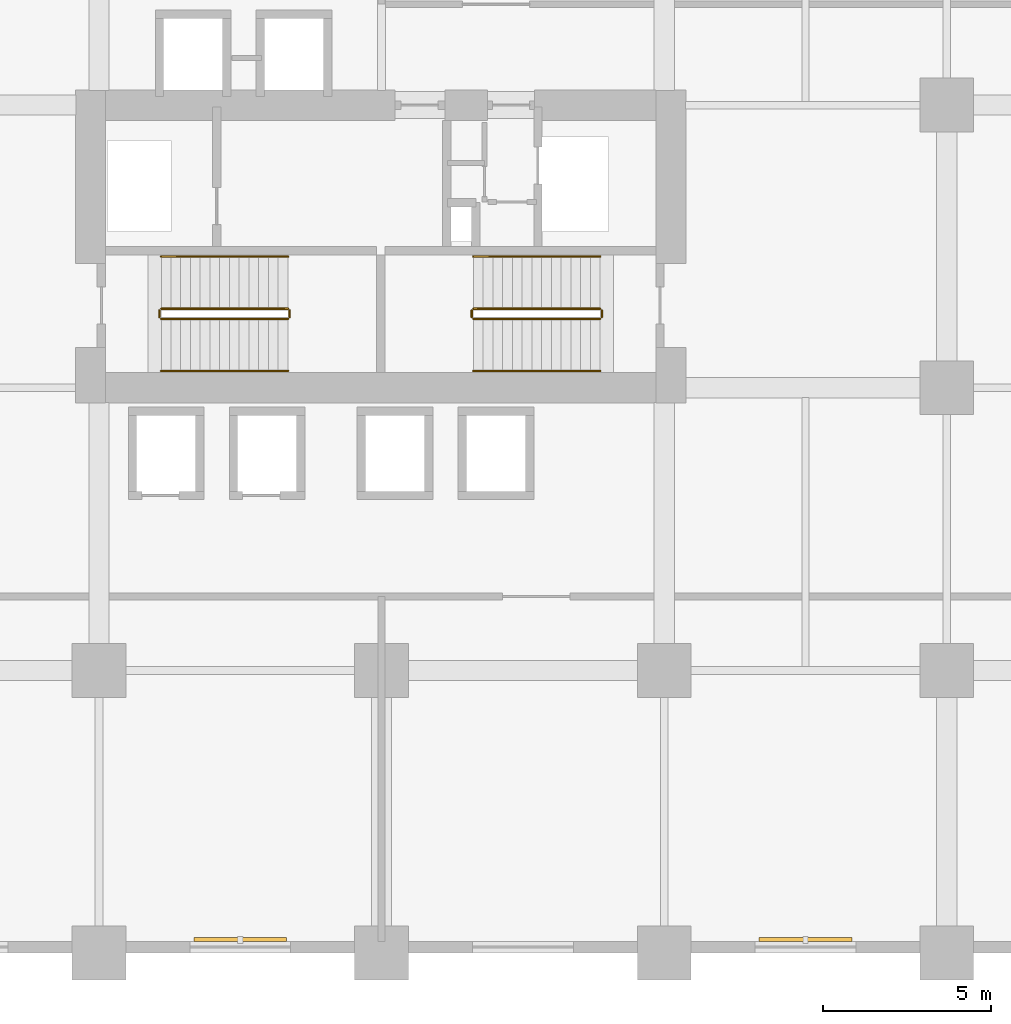
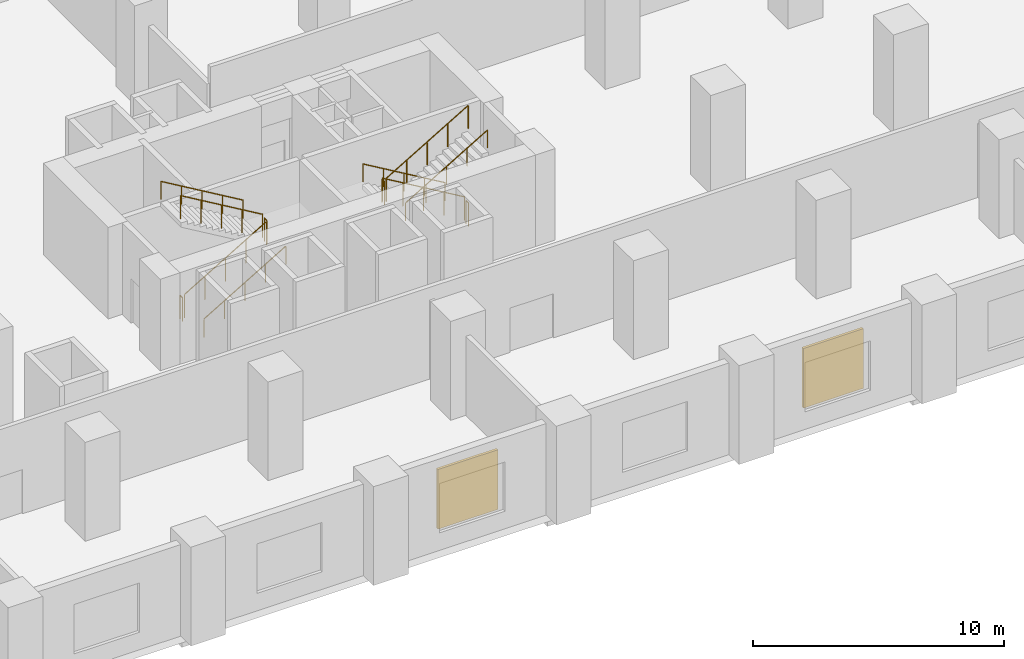
# One storey, part 20 of 22: 12 railings, 2 shading devices.
"""IFC4 building model written with IfcOpenShell, lengths in metres."""

from ifc_helpers import new_model, si_unit, direction, frame, origin, origin_2d, place, context, subcontext, project, spatial, rectangle, circle, extrude, material, layer, layer_set, type_object, element, save


model = new_model("IFC4")

# Units and contexts
model_context = context("Model", 3, precision=1e-05, world=origin(), true_north=direction((0.0, 1.0)))
body_context = subcontext(model_context, "Body", "Model", "MODEL_VIEW")
ifc_project = project(units=[si_unit("LENGTHUNIT", "METRE"), si_unit("AREAUNIT", "SQUARE_METRE"), si_unit("VOLUMEUNIT", "CUBIC_METRE"), si_unit("PLANEANGLEUNIT", "RADIAN"), si_unit("MASSUNIT", "GRAM", prefix="KILO")], contexts=[model_context])

# Site, building, storey
site_placement = place(None, origin())
site = spatial("IfcSite", under=ifc_project, at=site_placement, CompositionType="ELEMENT")
building_placement = place(site_placement, origin())
building = spatial("IfcBuilding", under=site, at=building_placement, Name="Koriwani Terraces Tower", CompositionType="ELEMENT")
storey_placement = place(building_placement, frame((0.0, 0.0, 10.800048828125)))
storey = spatial("IfcBuildingStorey", under=building, at=storey_placement, Name="L02", CompositionType="ELEMENT", Elevation=10.800048828125)

# Railings
ifc_material_1 = material(Name="Steel ASTM A572 Grade 50", Category="steel")
railing_type_1 = type_object("IfcRailingType", Name="GUARD_STAIR_WELL_1120", PredefinedType="GUARDRAIL", material=ifc_material_1)
railing_1_placement = place(storey_placement, frame((43.85009765625, 18.85009765625, 0.17138671875)))
element("IfcRailing", 1, at=railing_1_placement, inside=storey, type_object=railing_type_1, Name="L02 ST-E1 stair guard 1", PredefinedType="GUARDRAIL", context=body_context, shape_type="SweptSolid", body=[
    extrude(circle(Radius=0.02392578125, at=origin_2d()), frame((0.0, 0.0, 1.1259765625), z_axis=(0.860848830602, 0.0, 0.508860777473), x_axis=(0.0, 1.0, 0.0)), (0.0, 0.0, 1.0), 4.37939453125),
    extrude(circle(Radius=0.02099609375, at=origin_2d()), origin(), (0.0, 0.0, 1.0), 1.101806640625),
    extrude(circle(Radius=0.02099609375, at=origin_2d()), frame((0.9423828125, 0.0, 0.55712890625)), (0.0, 0.0, 1.0), 1.101806640625),
    extrude(circle(Radius=0.02099609375, at=origin_2d()), frame((1.885009765625, 0.0, 1.1142578125)), (0.0, 0.0, 1.0), 1.101806640625),
    extrude(circle(Radius=0.02099609375, at=origin_2d()), frame((2.82763671875, 0.0, 1.67138671875)), (0.0, 0.0, 1.0), 1.101806640625),
    extrude(circle(Radius=0.02099609375, at=origin_2d()), frame((3.77001953125, 0.0, 2.228515625)), (0.0, 0.0, 1.0), 1.101806640625),
])
railing_2_placement = place(storey_placement, frame((47.669921875, 18.89990234375, 2.39990234375)))
element("IfcRailing", 2, at=railing_2_placement, inside=storey, type_object=railing_type_1, Name="L02 ST-E1 stair guard 2", PredefinedType="GUARDRAIL", context=body_context, shape_type="SweptSolid", body=[
    extrude(circle(Radius=0.02392578125, at=origin_2d()), frame((0.0, 0.0, 1.1259765625), z_axis=(0.0, 1.0, 0.0), x_axis=(-1.0, 0.0, 0.0)), (0.0, 0.0, 1.0), 0.2001953125),
    extrude(circle(Radius=0.02099609375, at=origin_2d()), origin(), (0.0, 0.0, 1.0), 1.101806640625),
    extrude(circle(Radius=0.02099609375, at=origin_2d()), frame((0.0, 0.2001953125, 0.0)), (0.0, 0.0, 1.0), 1.101806640625),
])
railing_3_placement = place(storey_placement, frame((47.6201171875, 19.14990234375, 2.5712890625)))
element("IfcRailing", 3, at=railing_3_placement, inside=storey, type_object=railing_type_1, Name="L02 ST-E1 stair guard 3", PredefinedType="GUARDRAIL", context=body_context, shape_type="SweptSolid", body=[
    extrude(circle(Radius=0.02392578125, at=origin_2d()), frame((0.0, 0.0, 1.1259765625), z_axis=(-0.860824410104, 0.0, 0.508902087802), x_axis=(0.0, -1.0, 0.0)), (0.0, 0.0, 1.0), 4.379638671875),
    extrude(circle(Radius=0.02099609375, at=origin_2d()), origin(), (0.0, 0.0, 1.0), 1.101806640625),
    extrude(circle(Radius=0.02099609375, at=origin_2d()), frame((-0.9423828125, 0.0, 0.55712890625)), (0.0, 0.0, 1.0), 1.101806640625),
    extrude(circle(Radius=0.02099609375, at=origin_2d()), frame((-1.885009765625, 0.0, 1.1142578125)), (0.0, 0.0, 1.0), 1.101806640625),
    extrude(circle(Radius=0.02099609375, at=origin_2d()), frame((-2.82763671875, 0.0, 1.671630859375)), (0.0, 0.0, 1.0), 1.101806640625),
    extrude(circle(Radius=0.02099609375, at=origin_2d()), frame((-3.77001953125, 0.0, 2.228759765625)), (0.0, 0.0, 1.0), 1.101806640625),
])
railing_4_placement = place(storey_placement, frame((43.800048828125, 18.89990234375, 0.0)))
element("IfcRailing", 4, at=railing_4_placement, inside=storey, type_object=railing_type_1, Name="L02 ST-E1 stair guard 4", PredefinedType="GUARDRAIL", context=body_context, shape_type="SweptSolid", body=[
    extrude(circle(Radius=0.02392578125, at=origin_2d()), frame((0.0, 0.0, 1.1259765625), z_axis=(0.0, 1.0, 0.0), x_axis=(-1.0, 0.0, 0.0)), (0.0, 0.0, 1.0), 0.2001953125),
    extrude(circle(Radius=0.02099609375, at=origin_2d()), origin(), (0.0, 0.0, 1.0), 1.101806640625),
    extrude(circle(Radius=0.02099609375, at=origin_2d()), frame((0.0, 0.2001953125, 0.0)), (0.0, 0.0, 1.0), 1.101806640625),
])
railing_5_placement = place(storey_placement, frame((56.89990234375, 19.14990234375, 0.17138671875)))
element("IfcRailing", 5, at=railing_5_placement, inside=storey, type_object=railing_type_1, Name="L02 ST-E2 stair guard 1", PredefinedType="GUARDRAIL", context=body_context, shape_type="SweptSolid", body=[
    extrude(circle(Radius=0.02392578125, at=origin_2d()), frame((0.0, 0.0, 1.1259765625), z_axis=(-0.860848830602, 0.0, 0.508860777473), x_axis=(0.0, -1.0, 0.0)), (0.0, 0.0, 1.0), 4.37939453125),
    extrude(circle(Radius=0.02099609375, at=origin_2d()), origin(), (0.0, 0.0, 1.0), 1.101806640625),
    extrude(circle(Radius=0.02099609375, at=origin_2d()), frame((-0.9423828125, 0.0, 0.55712890625)), (0.0, 0.0, 1.0), 1.101806640625),
    extrude(circle(Radius=0.02099609375, at=origin_2d()), frame((-1.885009765625, 0.0, 1.1142578125)), (0.0, 0.0, 1.0), 1.101806640625),
    extrude(circle(Radius=0.02099609375, at=origin_2d()), frame((-2.82763671875, 0.0, 1.67138671875)), (0.0, 0.0, 1.0), 1.101806640625),
    extrude(circle(Radius=0.02099609375, at=origin_2d()), frame((-3.77001953125, 0.0, 2.228515625)), (0.0, 0.0, 1.0), 1.101806640625),
])
railing_6_placement = place(storey_placement, frame((53.080078125, 19.10009765625, 2.39990234375)))
element("IfcRailing", 6, at=railing_6_placement, inside=storey, type_object=railing_type_1, Name="L02 ST-E2 stair guard 2", PredefinedType="GUARDRAIL", context=body_context, shape_type="SweptSolid", body=[
    extrude(circle(Radius=0.02392578125, at=origin_2d()), frame((0.0, 0.0, 1.1259765625), z_axis=(0.0, -1.0, 0.0), x_axis=(1.0, 0.0, 0.0)), (0.0, 0.0, 1.0), 0.2001953125),
    extrude(circle(Radius=0.02099609375, at=origin_2d()), origin(), (0.0, 0.0, 1.0), 1.101806640625),
    extrude(circle(Radius=0.02099609375, at=origin_2d()), frame((0.0, -0.2001953125, 0.0)), (0.0, 0.0, 1.0), 1.101806640625),
])
railing_7_placement = place(storey_placement, frame((53.1298828125, 18.85009765625, 2.5712890625)))
element("IfcRailing", 7, at=railing_7_placement, inside=storey, type_object=railing_type_1, Name="L02 ST-E2 stair guard 3", PredefinedType="GUARDRAIL", context=body_context, shape_type="SweptSolid", body=[
    extrude(circle(Radius=0.02392578125, at=origin_2d()), frame((0.0, 0.0, 1.1259765625), z_axis=(0.860824410104, 0.0, 0.508902087802), x_axis=(0.0, 1.0, 0.0)), (0.0, 0.0, 1.0), 4.379638671875),
    extrude(circle(Radius=0.02099609375, at=origin_2d()), origin(), (0.0, 0.0, 1.0), 1.101806640625),
    extrude(circle(Radius=0.02099609375, at=origin_2d()), frame((0.9423828125, 0.0, 0.55712890625)), (0.0, 0.0, 1.0), 1.101806640625),
    extrude(circle(Radius=0.02099609375, at=origin_2d()), frame((1.885009765625, 0.0, 1.1142578125)), (0.0, 0.0, 1.0), 1.101806640625),
    extrude(circle(Radius=0.02099609375, at=origin_2d()), frame((2.82763671875, 0.0, 1.671630859375)), (0.0, 0.0, 1.0), 1.101806640625),
    extrude(circle(Radius=0.02099609375, at=origin_2d()), frame((3.77001953125, 0.0, 2.228759765625)), (0.0, 0.0, 1.0), 1.101806640625),
])
railing_8_placement = place(storey_placement, frame((56.949951171875, 19.10009765625, 0.0)))
element("IfcRailing", 8, at=railing_8_placement, inside=storey, type_object=railing_type_1, Name="L02 ST-E2 stair guard 4", PredefinedType="GUARDRAIL", context=body_context, shape_type="SweptSolid", body=[
    extrude(circle(Radius=0.02392578125, at=origin_2d()), frame((0.0, 0.0, 1.1259765625), z_axis=(0.0, -1.0, 0.0), x_axis=(1.0, 0.0, 0.0)), (0.0, 0.0, 1.0), 0.2001953125),
    extrude(circle(Radius=0.02099609375, at=origin_2d()), origin(), (0.0, 0.0, 1.0), 1.101806640625),
    extrude(circle(Radius=0.02099609375, at=origin_2d()), frame((0.0, -0.2001953125, 0.0)), (0.0, 0.0, 1.0), 1.101806640625),
])
railing_type_2 = type_object("IfcRailingType", Name="HANDRAIL_STAIR_920", PredefinedType="HANDRAIL", material=ifc_material_1)
railing_9_placement = place(storey_placement, frame((43.85009765625, 17.300048828125, 0.17138671875)))
element("IfcRailing", 9, at=railing_9_placement, inside=storey, type_object=railing_type_2, Name="L02 ST-E1 stair handrail 1", PredefinedType="HANDRAIL", context=body_context, shape_type="SweptSolid", body=[
    extrude(circle(Radius=0.02392578125, at=origin_2d()), frame((0.0, 0.0, 0.8759765625), z_axis=(0.860848830602, 0.0, 0.508860777473), x_axis=(0.0, 1.0, 0.0)), (0.0, 0.0, 1.0), 4.37939453125),
    extrude(circle(Radius=0.02099609375, at=origin_2d()), origin(), (0.0, 0.0, 1.0), 0.851806640625),
    extrude(circle(Radius=0.02099609375, at=origin_2d()), frame((0.9423828125, 0.0, 0.55712890625)), (0.0, 0.0, 1.0), 0.851806640625),
    extrude(circle(Radius=0.02099609375, at=origin_2d()), frame((1.885009765625, 0.0, 1.1142578125)), (0.0, 0.0, 1.0), 0.851806640625),
    extrude(circle(Radius=0.02099609375, at=origin_2d()), frame((2.82763671875, 0.0, 1.67138671875)), (0.0, 0.0, 1.0), 0.851806640625),
    extrude(circle(Radius=0.02099609375, at=origin_2d()), frame((3.77001953125, 0.0, 2.228515625)), (0.0, 0.0, 1.0), 0.851806640625),
])
railing_10_placement = place(storey_placement, frame((47.6201171875, 20.699951171875, 2.5712890625)))
element("IfcRailing", 10, at=railing_10_placement, inside=storey, type_object=railing_type_2, Name="L02 ST-E1 stair handrail 2", PredefinedType="HANDRAIL", context=body_context, shape_type="SweptSolid", body=[
    extrude(circle(Radius=0.02392578125, at=origin_2d()), frame((0.0, 0.0, 0.8759765625), z_axis=(-0.860824410104, 0.0, 0.508902087802), x_axis=(0.0, -1.0, 0.0)), (0.0, 0.0, 1.0), 4.379638671875),
    extrude(circle(Radius=0.02099609375, at=origin_2d()), origin(), (0.0, 0.0, 1.0), 0.851806640625),
    extrude(circle(Radius=0.02099609375, at=origin_2d()), frame((-0.9423828125, 0.0, 0.55712890625)), (0.0, 0.0, 1.0), 0.851806640625),
    extrude(circle(Radius=0.02099609375, at=origin_2d()), frame((-1.885009765625, 0.0, 1.1142578125)), (0.0, 0.0, 1.0), 0.851806640625),
    extrude(circle(Radius=0.02099609375, at=origin_2d()), frame((-2.82763671875, 0.0, 1.671630859375)), (0.0, 0.0, 1.0), 0.851806640625),
    extrude(circle(Radius=0.02099609375, at=origin_2d()), frame((-3.77001953125, 0.0, 2.228759765625)), (0.0, 0.0, 1.0), 0.851806640625),
])
railing_11_placement = place(storey_placement, frame((56.89990234375, 20.699951171875, 0.17138671875)))
element("IfcRailing", 11, at=railing_11_placement, inside=storey, type_object=railing_type_2, Name="L02 ST-E2 stair handrail 1", PredefinedType="HANDRAIL", context=body_context, shape_type="SweptSolid", body=[
    extrude(circle(Radius=0.02392578125, at=origin_2d()), frame((0.0, 0.0, 0.8759765625), z_axis=(-0.860848830602, 0.0, 0.508860777473), x_axis=(0.0, -1.0, 0.0)), (0.0, 0.0, 1.0), 4.37939453125),
    extrude(circle(Radius=0.02099609375, at=origin_2d()), origin(), (0.0, 0.0, 1.0), 0.851806640625),
    extrude(circle(Radius=0.02099609375, at=origin_2d()), frame((-0.9423828125, 0.0, 0.55712890625)), (0.0, 0.0, 1.0), 0.851806640625),
    extrude(circle(Radius=0.02099609375, at=origin_2d()), frame((-1.885009765625, 0.0, 1.1142578125)), (0.0, 0.0, 1.0), 0.851806640625),
    extrude(circle(Radius=0.02099609375, at=origin_2d()), frame((-2.82763671875, 0.0, 1.67138671875)), (0.0, 0.0, 1.0), 0.851806640625),
    extrude(circle(Radius=0.02099609375, at=origin_2d()), frame((-3.77001953125, 0.0, 2.228515625)), (0.0, 0.0, 1.0), 0.851806640625),
])
railing_12_placement = place(storey_placement, frame((53.1298828125, 17.300048828125, 2.5712890625)))
element("IfcRailing", 12, at=railing_12_placement, inside=storey, type_object=railing_type_2, Name="L02 ST-E2 stair handrail 2", PredefinedType="HANDRAIL", context=body_context, shape_type="SweptSolid", body=[
    extrude(circle(Radius=0.02392578125, at=origin_2d()), frame((0.0, 0.0, 0.8759765625), z_axis=(0.860824410104, 0.0, 0.508902087802), x_axis=(0.0, 1.0, 0.0)), (0.0, 0.0, 1.0), 4.379638671875),
    extrude(circle(Radius=0.02099609375, at=origin_2d()), origin(), (0.0, 0.0, 1.0), 0.851806640625),
    extrude(circle(Radius=0.02099609375, at=origin_2d()), frame((0.9423828125, 0.0, 0.55712890625)), (0.0, 0.0, 1.0), 0.851806640625),
    extrude(circle(Radius=0.02099609375, at=origin_2d()), frame((1.885009765625, 0.0, 1.1142578125)), (0.0, 0.0, 1.0), 0.851806640625),
    extrude(circle(Radius=0.02099609375, at=origin_2d()), frame((2.82763671875, 0.0, 1.671630859375)), (0.0, 0.0, 1.0), 0.851806640625),
    extrude(circle(Radius=0.02099609375, at=origin_2d()), frame((3.77001953125, 0.0, 2.228759765625)), (0.0, 0.0, 1.0), 0.851806640625),
])

# Shading devices
ifc_material_2 = material(Name="Extruded Terracotta Clay", Category="masonry")
ifc_layer = layer(ifc_material_2, 0.1201171875, Name="Extruded Terracotta Clay")
ifc_layer_set = layer_set([ifc_layer], Name="Extruded Terracotta Clay")
shading_device_type = type_object("IfcShadingDeviceType", Name="TERRACOTTA_BAGUETTE_SCREEN_2800", PredefinedType="USERDEFINED", material=ifc_layer_set)
for number, where, z_axis, x_axis, name in (
    (13, (46.199951171875, 0.405029296875, 0.77490234375), (0.0, 0.0, 1.0), (-1.0, 0.0, 0.0), "L02 Extruded Terracotta Baguette Screen (S-15)"),
    (14, (63.0, 0.405029296875, 0.77490234375), (0.0, 0.0, 1.0), (-1.0, 0.0, 0.0), "L02 Extruded Terracotta Baguette Screen (S-21)"),
):
    element("IfcShadingDevice", number, at=place(storey_placement, frame(where, z_axis=z_axis, x_axis=x_axis)), inside=storey, type_object=shading_device_type, Name=name, ObjectType="BAGUETTE", PredefinedType="USERDEFINED", context=body_context, shape_type="SweptSolid", body=[
        extrude(rectangle(XDim=2.760009765625, YDim=0.1201171875, at=origin_2d()), origin(), (0.0, 0.0, 1.0), 2.89990234375),
    ])

save(model, "model.ifc")
